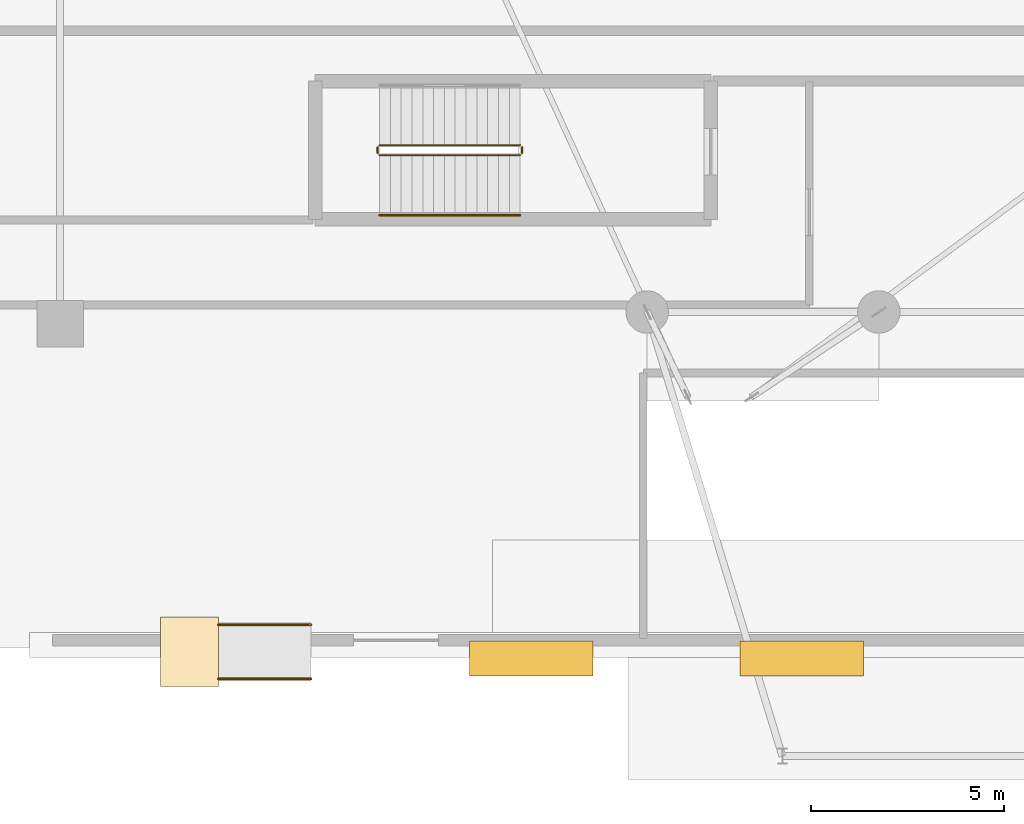
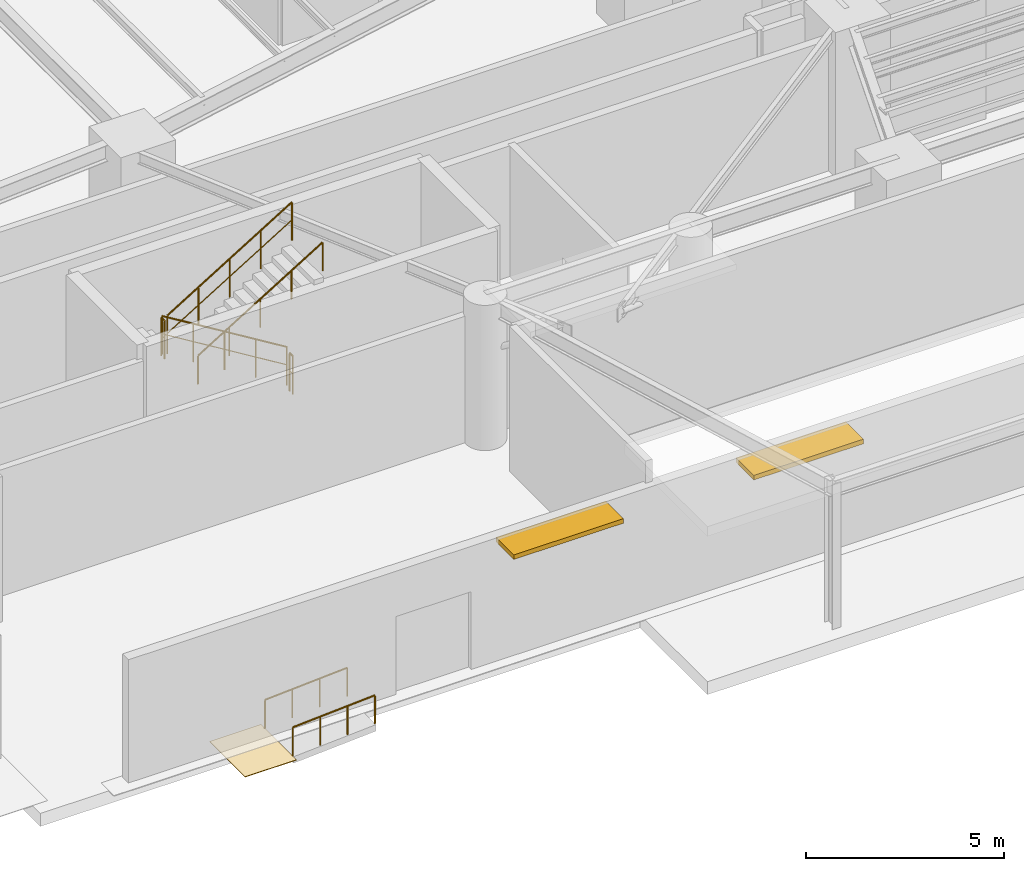
# One storey, part 22 of 31: 7 railings, 2 shading devices, 1 covering.
"""IFC4 building model written with IfcOpenShell, lengths in metres."""

import ifcopenshell
import ifcopenshell.guid

model = None  # the IFC model being written
_history = None  # IfcOwnerHistory: only IFC2X3 demands one
_inside = {}  # id of a spatial element -> (the spatial element, [elements in it])
_under = {}  # id of a project, library or spatial element -> (it, [spatial elements below it])
_declared = {}  # id of a project -> (the project, [libraries it declares])
_typed = {}  # id of a type object -> (the type object, [elements of that type])
_made_of = {}  # id of a material, layer set ... -> (it, [elements and type objects made of it])


def new_model(schema):
    """Start an empty IFC model of exactly this schema.

    Asked for "IFC4X3", IfcOpenShell would pick the latest addendum, in which some entities
    have other attributes; the version numbers below select the first issue.
    IFC2X3 requires an IfcOwnerHistory on every rooted entity: one is made here for all.
    """
    global model, _history
    if schema == "IFC4X3":
        model = ifcopenshell.file(schema_version=(4, 3, 0, 0))
    else:
        model = ifcopenshell.file(schema=schema)
    _inside.clear()
    _under.clear()
    _declared.clear()
    _typed.clear()
    _made_of.clear()
    _history = None
    if model.schema == "IFC2X3":
        org = make("IfcOrganization", Name="unknown")
        user = make(
            "IfcPersonAndOrganization",
            ThePerson=make("IfcPerson", FamilyName="unknown"),
            TheOrganization=org,
        )
        app = make(
            "IfcApplication",
            ApplicationDeveloper=org,
            Version="unknown",
            ApplicationFullName="unknown",
            ApplicationIdentifier="unknown",
        )
        _history = make(
            "IfcOwnerHistory",
            OwningUser=user,
            OwningApplication=app,
            ChangeAction="ADDED",
            CreationDate=0,
        )
    return model


def make(cls, **values):
    """One entity of the class cls with the attributes given. An attribute that is None is left unset."""
    return model.create_entity(
        cls, **{name: value for name, value in values.items() if value is not None}
    )


def rooted(cls, **values):
    """An entity with a GlobalId (a new one), such as an element, a storey or a relation."""
    return make(cls, GlobalId=ifcopenshell.guid.new(), OwnerHistory=_history, **values)


def si_unit(unit_type, name, prefix=None):
    """IfcSIUnit, for example si_unit("LENGTHUNIT", "METRE", prefix="MILLI")."""
    return make("IfcSIUnit", UnitType=unit_type, Prefix=prefix, Name=name)


def assignment(units):
    """IfcUnitAssignment: the units of a project."""
    return None if units is None else make("IfcUnitAssignment", Units=units)


def point(xyz):
    """IfcCartesianPoint."""
    return None if xyz is None else make("IfcCartesianPoint", Coordinates=xyz)


def direction(xyz):
    """IfcDirection."""
    return None if xyz is None else make("IfcDirection", DirectionRatios=xyz)


def frame(location, z_axis=None, x_axis=None):
    """IfcAxis2Placement3D, a coordinate frame: its origin and axes. An axis left out is left unset."""
    return make(
        "IfcAxis2Placement3D",
        Location=point(location),
        Axis=direction(z_axis),
        RefDirection=direction(x_axis),
    )


def frame_2d(location, x_axis=None):
    """IfcAxis2Placement2D, a coordinate frame in the plane: its origin and x axis."""
    return make(
        "IfcAxis2Placement2D", Location=point(location), RefDirection=direction(x_axis)
    )


def origin():
    """The frame at (0, 0, 0) with its axes left unset."""
    return frame((0.0, 0.0, 0.0))


def origin_2d():
    """The frame at (0, 0) in the plane with its x axis left unset."""
    return frame_2d((0.0, 0.0))


def place(relative_to, where):
    """IfcLocalPlacement: puts the frame where relative to a parent placement (None: the world)."""
    return make(
        "IfcLocalPlacement", PlacementRelTo=relative_to, RelativePlacement=where
    )


def context(
    kind, dimensions, precision=None, world=None, true_north=None, identifier=None
):
    """IfcGeometricRepresentationContext, for example the 3D "Model" context."""
    return make(
        "IfcGeometricRepresentationContext",
        ContextIdentifier=identifier,
        ContextType=kind,
        CoordinateSpaceDimension=dimensions,
        Precision=precision,
        WorldCoordinateSystem=world,
        TrueNorth=true_north,
    )


def subcontext(parent, identifier, kind, view, scale=None):
    """IfcGeometricRepresentationSubContext, for example "Body" below "Model"."""
    return make(
        "IfcGeometricRepresentationSubContext",
        ContextIdentifier=identifier,
        ContextType=kind,
        ParentContext=parent,
        TargetScale=scale,
        TargetView=view,
    )


def project(units=None, contexts=None):
    """IfcProject with its units and contexts."""
    return rooted(
        "IfcProject",
        Name="project",
        RepresentationContexts=contexts,
        UnitsInContext=assignment(units),
    )


def spatial(cls, under=None, at=None, **own):
    """A site, building, storey or space (cls), placed at a placement, below another one or the project."""
    s = rooted(cls, ObjectPlacement=at, **own)
    if under is not None:
        _under.setdefault(under.id(), (under, []))[1].append(s)
    return s


def polyline(points):
    """IfcPolyline through the points."""
    return make("IfcPolyline", Points=[point(p) for p in points])


def profile(cls, at=None, kind="AREA", **sizes):
    """A parametric profile (cls). Its sizes go by their IFC names, for example OverallWidth=200.0."""
    return make(cls, ProfileType=kind, Position=at, **sizes)


def rectangle(**sizes):
    """IfcRectangleProfileDef."""
    return profile("IfcRectangleProfileDef", **sizes)


def circle(**sizes):
    """IfcCircleProfileDef."""
    return profile("IfcCircleProfileDef", **sizes)


def outline(outer, holes=None, kind="AREA"):
    """IfcArbitraryClosedProfileDef: a profile drawn as a closed curve; with holes, ...WithVoids."""
    if holes is None:
        return make("IfcArbitraryClosedProfileDef", ProfileType=kind, OuterCurve=outer)
    return make(
        "IfcArbitraryProfileDefWithVoids",
        ProfileType=kind,
        OuterCurve=outer,
        InnerCurves=holes,
    )


def extrude(swept, where, along, depth):
    """IfcExtrudedAreaSolid: the profile swept, set in the frame where, extruded along a direction by depth."""
    return make(
        "IfcExtrudedAreaSolid",
        SweptArea=swept,
        Position=where,
        ExtrudedDirection=direction(along),
        Depth=depth,
    )


def shape(context_of_items, identifier, shape_type, items):
    """IfcShapeRepresentation: the items that make up one representation, for example the "Body"."""
    return make(
        "IfcShapeRepresentation",
        ContextOfItems=context_of_items,
        RepresentationIdentifier=identifier,
        RepresentationType=shape_type,
        Items=items,
    )


def source(mapping_origin, context_of_items, identifier, shape_type, items):
    """IfcRepresentationMap: a shape defined once, which mapped items show again and again."""
    return make(
        "IfcRepresentationMap",
        MappingOrigin=mapping_origin,
        MappedRepresentation=shape(context_of_items, identifier, shape_type, items),
    )


def transform(
    local_origin,
    x_axis=None,
    y_axis=None,
    z_axis=None,
    scale=None,
    scale2=None,
    scale3=None,
    uniform=True,
):
    """IfcCartesianTransformationOperator3D, or its non-uniform kind. x_axis, y_axis, z_axis: its Axis1, 2, 3."""
    if uniform:
        return make(
            "IfcCartesianTransformationOperator3D",
            Axis1=direction(x_axis),
            Axis2=direction(y_axis),
            LocalOrigin=point(local_origin),
            Scale=scale,
            Axis3=direction(z_axis),
        )
    return make(
        "IfcCartesianTransformationOperator3DnonUniform",
        Axis1=direction(x_axis),
        Axis2=direction(y_axis),
        LocalOrigin=point(local_origin),
        Scale=scale,
        Axis3=direction(z_axis),
        Scale2=scale2,
        Scale3=scale3,
    )


def mapped(mapping_source, mapping_target):
    """IfcMappedItem: shows the shape of a source again, moved by a transform."""
    return make(
        "IfcMappedItem", MappingSource=mapping_source, MappingTarget=mapping_target
    )


def material(Name=None, Category=None):
    """IfcMaterial."""
    return make("IfcMaterial", Name=Name, Category=Category)


def layer(
    of_material, thickness, ventilated=None, Name=None, Category=None, Priority=None
):
    """IfcMaterialLayer: one layer of a wall or slab, of a material (None: an air gap)."""
    return make(
        "IfcMaterialLayer",
        Material=of_material,
        LayerThickness=thickness,
        IsVentilated=ventilated,
        Name=Name,
        Category=Category,
        Priority=Priority,
    )


def layer_set(layers, Name=None):
    """IfcMaterialLayerSet."""
    return make("IfcMaterialLayerSet", MaterialLayers=layers, LayerSetName=Name)


def made_of(thing, what):
    """Note that an element or type object is made of a material, layer set ...; save() writes the relation."""
    if what is not None:
        _made_of.setdefault(what.id(), (what, []))[1].append(thing)
    return thing


def type_object(cls, material=None, **own):
    """A type object (cls), such as IfcWallType, which elements share."""
    return made_of(rooted(cls, **own), material)


def element(
    cls,
    number,
    at=None,
    inside=None,
    cuts=None,
    type_object=None,
    material=None,
    context=None,
    identifier="Body",
    shape_type=None,
    held_by="IfcProductDefinitionShape",
    body=None,
    shapes=None,
    **own,
):
    """One element of the class cls, such as IfcWall. Its Tag is "e" and its number.

    at: its placement. inside: the storey or other place that contains it. cuts: it is an
    opening in that element (IfcRelVoidsElement). A single representation is given by context,
    identifier, shape_type and body (its items); several are given by shapes. held_by: the class
    of the entity that holds the representations. save() writes the other relations.
    """
    e = rooted(cls, Tag="e%d" % number, ObjectPlacement=at, **own)
    if body is not None:
        shapes = [shape(context, identifier, shape_type, body)]
    if shapes is not None:
        e.Representation = make(held_by, Representations=shapes)
    if inside is not None:
        _inside.setdefault(inside.id(), (inside, []))[1].append(e)
    if cuts is not None:
        rooted(
            "IfcRelVoidsElement", RelatingBuildingElement=cuts, RelatedOpeningElement=e
        )
    if type_object is not None:
        _typed.setdefault(type_object.id(), (type_object, []))[1].append(e)
    return made_of(e, material)


def aggregate(whole, parts):
    """IfcRelAggregates: a whole, such as a stair, and the parts it consists of."""
    return rooted("IfcRelAggregates", RelatingObject=whole, RelatedObjects=parts)


def save(model, path):
    """Write the relations noted so far, then the file.

    IfcRelAggregates (storeys below a building ...), IfcRelContainedInSpatialStructure (elements
    in a storey), IfcRelDefinesByType, IfcRelAssociatesMaterial and IfcRelDeclares: one each for
    every whole, place, type object, material and project.
    """
    for whole, parts in _under.values():
        aggregate(whole, parts)
    for where, things in _inside.values():
        rooted(
            "IfcRelContainedInSpatialStructure",
            RelatedElements=things,
            RelatingStructure=where,
        )
    for kind, things in _typed.values():
        rooted("IfcRelDefinesByType", RelatedObjects=things, RelatingType=kind)
    for what, things in _made_of.values():
        rooted("IfcRelAssociatesMaterial", RelatedObjects=things, RelatingMaterial=what)
    for by, libraries in _declared.values():
        rooted("IfcRelDeclares", RelatingContext=by, RelatedDefinitions=libraries)
    model.write(path)


model = new_model("IFC4")

# Units and contexts
model_context = context("Model", 3, precision=1e-05, world=origin(), true_north=direction((0.0, 1.0)))
body_context = subcontext(model_context, "Body", "Model", "MODEL_VIEW")
ifc_project = project(units=[si_unit("LENGTHUNIT", "METRE"), si_unit("AREAUNIT", "SQUARE_METRE"), si_unit("VOLUMEUNIT", "CUBIC_METRE"), si_unit("PLANEANGLEUNIT", "RADIAN"), si_unit("MASSUNIT", "GRAM", prefix="KILO")], contexts=[model_context])

# Site, building, storey
site_placement = place(None, origin())
site = spatial("IfcSite", under=ifc_project, at=site_placement, CompositionType="ELEMENT")
building_placement = place(site_placement, origin())
building = spatial("IfcBuilding", under=site, at=building_placement, Name="Sahyath Konkavel Grand Hotel", CompositionType="ELEMENT")
storey_placement = place(building_placement, origin())
storey = spatial("IfcBuildingStorey", under=building, at=storey_placement, Name="L00", CompositionType="ELEMENT", Elevation=0.0)

# Covering
ifc_material_1 = material(Name="Honed Deccan Basalt and Warm Sandstone Flooring", Category="masonry")
ifc_layer_1 = layer(ifc_material_1, 0.02001953125)
ifc_layer_set_1 = layer_set([ifc_layer_1], Name="Honed Deccan Basalt and Warm Sandstone Flooring")
covering_type = type_object("IfcCoveringType", Name="COV-STONE-FLR", PredefinedType="FLOORING", material=ifc_layer_set_1)
covering_placement = place(storey_placement, frame((0.0, 0.0, -0.169921875)))
element("IfcCovering", 1, at=covering_placement, inside=storey, type_object=covering_type, Name="L00 Street Walkway Landing PR-3", PredefinedType="FLOORING", context=body_context, shape_type="SweptSolid", body=[
    extrude(outline(polyline([(-30.60009765625, -26.199951171875), (-29.10009765625, -26.199951171875), (-29.10009765625, -24.39990234375), (-30.60009765625, -24.39990234375), (-30.60009765625, -26.199951171875)])), origin(), (0.0, 0.0, 1.0), 0.02001953125),
])

# Railings
ifc_material_2 = material(Name="Steel E350", Category="steel")
railing_type_1 = type_object("IfcRailingType", Name="RLG-STAIR-GRD", PredefinedType="GUARDRAIL", material=ifc_material_2)
railing_1_placement = place(storey_placement, frame((-21.2900390625, -12.179931640625, 0.17138671875)))
element("IfcRailing", 2, at=railing_1_placement, inside=storey, type_object=railing_type_1, Name="L00 ST-P3 stair guard 1", PredefinedType="GUARDRAIL", context=body_context, shape_type="SweptSolid", body=[
    extrude(circle(Radius=0.02392578125, at=origin_2d()), frame((-0.001708984375, 0.0, 1.177001953125), z_axis=(-0.852850264322, 0.0, 0.5221555579), x_axis=(0.0, -1.0, 0.0)), (0.0, 0.0, 1.0), 4.263916015625),
    extrude(circle(Radius=0.01416015625, at=origin_2d()), frame((-0.001708984375, 0.0, 0.625), z_axis=(-0.852850264322, 0.0, 0.5221555579), x_axis=(0.0, -1.0, 0.0)), (0.0, 0.0, 1.0), 4.263916015625),
    extrude(circle(Radius=0.02099609375, at=origin_2d()), origin(), (0.0, 0.0, 1.0), 1.15185546875),
    extrude(circle(Radius=0.02099609375, at=origin_2d()), frame((-0.909912109375, 0.0, 0.55712890625)), (0.0, 0.0, 1.0), 1.15185546875),
    extrude(circle(Radius=0.02099609375, at=origin_2d()), frame((-1.81982421875, 0.0, 1.1142578125)), (0.0, 0.0, 1.0), 1.15185546875),
    extrude(circle(Radius=0.02099609375, at=origin_2d()), frame((-2.72998046875, 0.0, 1.67138671875)), (0.0, 0.0, 1.0), 1.15185546875),
    extrude(circle(Radius=0.02099609375, at=origin_2d()), frame((-3.639892578125, 0.0, 2.228515625)), (0.0, 0.0, 1.0), 1.15185546875),
])
railing_2_placement = place(storey_placement, frame((-24.97998046875, -12.22998046875, 2.39990234375)))
element("IfcRailing", 3, at=railing_2_placement, inside=storey, type_object=railing_type_1, Name="L00 ST-P3 stair guard 2", PredefinedType="GUARDRAIL", context=body_context, shape_type="SweptSolid", body=[
    extrude(circle(Radius=0.02392578125, at=origin_2d()), frame((0.0, -0.001953125, 1.17578125), z_axis=(0.0, -1.0, 0.0), x_axis=(1.0, 0.0, 0.0)), (0.0, 0.0, 1.0), 0.156005859375),
    extrude(circle(Radius=0.01416015625, at=origin_2d()), frame((0.0, -0.001953125, 0.6240234375), z_axis=(0.0, -1.0, 0.0), x_axis=(1.0, 0.0, 0.0)), (0.0, 0.0, 1.0), 0.156005859375),
    extrude(circle(Radius=0.02099609375, at=origin_2d()), origin(), (0.0, 0.0, 1.0), 1.15185546875),
    extrude(circle(Radius=0.02099609375, at=origin_2d()), frame((0.0, -0.159912109375, 0.0)), (0.0, 0.0, 1.0), 1.15185546875),
])
railing_3_placement = place(storey_placement, frame((-24.929931640625, -12.43994140625, 2.571533203125)))
element("IfcRailing", 4, at=railing_3_placement, inside=storey, type_object=railing_type_1, Name="L00 ST-P3 stair guard 3", PredefinedType="GUARDRAIL", context=body_context, shape_type="SweptSolid", body=[
    extrude(circle(Radius=0.02392578125, at=origin_2d()), frame((0.001708984375, 0.0, 1.177001953125), z_axis=(0.852850264322, 0.0, 0.5221555579), x_axis=(0.0, 1.0, 0.0)), (0.0, 0.0, 1.0), 4.263916015625),
    extrude(circle(Radius=0.01416015625, at=origin_2d()), frame((0.001708984375, 0.0, 0.625), z_axis=(0.852850264322, 0.0, 0.5221555579), x_axis=(0.0, 1.0, 0.0)), (0.0, 0.0, 1.0), 4.263916015625),
    extrude(circle(Radius=0.02099609375, at=origin_2d()), origin(), (0.0, 0.0, 1.0), 1.15185546875),
    extrude(circle(Radius=0.02099609375, at=origin_2d()), frame((0.909912109375, 0.0, 0.55712890625)), (0.0, 0.0, 1.0), 1.15185546875),
    extrude(circle(Radius=0.02099609375, at=origin_2d()), frame((1.81982421875, 0.0, 1.1142578125)), (0.0, 0.0, 1.0), 1.15185546875),
    extrude(circle(Radius=0.02099609375, at=origin_2d()), frame((2.72998046875, 0.0, 1.67138671875)), (0.0, 0.0, 1.0), 1.15185546875),
    extrude(circle(Radius=0.02099609375, at=origin_2d()), frame((3.639892578125, 0.0, 2.228515625)), (0.0, 0.0, 1.0), 1.15185546875),
])
railing_4_placement = place(storey_placement, frame((-21.239990234375, -12.22998046875, 0.0)))
element("IfcRailing", 5, at=railing_4_placement, inside=storey, type_object=railing_type_1, Name="L00 ST-P3 stair guard 4", PredefinedType="GUARDRAIL", context=body_context, shape_type="SweptSolid", body=[
    extrude(circle(Radius=0.02392578125, at=origin_2d()), frame((0.0, -0.001953125, 1.17578125), z_axis=(0.0, -1.0, 0.0), x_axis=(1.0, 0.0, 0.0)), (0.0, 0.0, 1.0), 0.156005859375),
    extrude(circle(Radius=0.01416015625, at=origin_2d()), frame((0.0, -0.001953125, 0.6240234375), z_axis=(0.0, -1.0, 0.0), x_axis=(1.0, 0.0, 0.0)), (0.0, 0.0, 1.0), 0.156005859375),
    extrude(circle(Radius=0.02099609375, at=origin_2d()), origin(), (0.0, 0.0, 1.0), 1.15185546875),
    extrude(circle(Radius=0.02099609375, at=origin_2d()), frame((0.0, -0.159912109375, 0.0)), (0.0, 0.0, 1.0), 1.15185546875),
])
ifc_material_3 = material(Name="Anodised Bronze Aluminium", Category="aluminium")
railing_type_2 = type_object("IfcRailingType", Name="RLG-STAIR-HND", PredefinedType="HANDRAIL", material=ifc_material_3)
railing_5_placement = place(storey_placement, frame((-24.929931640625, -13.989990234375, 2.571533203125)))
element("IfcRailing", 6, at=railing_5_placement, inside=storey, type_object=railing_type_2, Name="L00 ST-P3 stair handrail 2", PredefinedType="HANDRAIL", context=body_context, shape_type="SweptSolid", body=[
    extrude(circle(Radius=0.02392578125, at=origin_2d()), frame((0.001708984375, 0.0, 0.876953125), z_axis=(0.852850264322, 0.0, 0.5221555579), x_axis=(0.0, 1.0, 0.0)), (0.0, 0.0, 1.0), 4.263916015625),
    extrude(circle(Radius=0.02099609375, at=origin_2d()), origin(), (0.0, 0.0, 1.0), 0.851806640625),
    extrude(circle(Radius=0.02099609375, at=origin_2d()), frame((0.909912109375, 0.0, 0.55712890625)), (0.0, 0.0, 1.0), 0.851806640625),
    extrude(circle(Radius=0.02099609375, at=origin_2d()), frame((1.81982421875, 0.0, 1.1142578125)), (0.0, 0.0, 1.0), 0.851806640625),
    extrude(circle(Radius=0.02099609375, at=origin_2d()), frame((2.72998046875, 0.0, 1.67138671875)), (0.0, 0.0, 1.0), 0.851806640625),
    extrude(circle(Radius=0.02099609375, at=origin_2d()), frame((3.639892578125, 0.0, 2.228515625)), (0.0, 0.0, 1.0), 0.851806640625),
])
for number, where, name in (
    (7, (-29.10009765625, -24.60009765625, -0.14990234375), "Accessible Ramp Handrail PR-3-L"),
    (8, (-29.10009765625, -26.0, -0.14990234375), "Accessible Ramp Handrail PR-3-R"),
):
    element("IfcRailing", number, at=place(storey_placement, frame(where)), inside=storey, type_object=railing_type_2, Name=name, PredefinedType="HANDRAIL", context=body_context, shape_type="SweptSolid", body=[
        extrude(circle(Radius=0.02392578125, at=origin_2d()), frame((0.001953125, 0.0, 0.8759765625), z_axis=(0.998055342672, 0.0, 0.062334043373), x_axis=(0.0, 1.0, 0.0)), (0.0, 0.0, 1.0), 2.40087890625),
        extrude(circle(Radius=0.02099609375, at=origin_2d()), origin(), (0.0, 0.0, 1.0), 0.851806640625),
        extrude(circle(Radius=0.02099609375, at=origin_2d()), frame((0.800048828125, 0.0, 0.050048828125)), (0.0, 0.0, 1.0), 0.851806640625),
        extrude(circle(Radius=0.02099609375, at=origin_2d()), frame((1.60009765625, 0.0, 0.099853515625)), (0.0, 0.0, 1.0), 0.851806640625),
        extrude(circle(Radius=0.02099609375, at=origin_2d()), frame((2.400146484375, 0.0, 0.14990234375)), (0.0, 0.0, 1.0), 0.851806640625),
    ])

# Shading devices
ifc_material_4 = material(Name="Warm Buff Sandstone Cladding", Category="masonry")
ifc_layer_2 = layer(ifc_material_4, 0.139892578125)
ifc_layer_set_2 = layer_set([ifc_layer_2], Name="Warm Buff Sandstone Cladding")
shading_device_type = type_object("IfcShadingDeviceType", Name="SHD-STONE-BROW", PredefinedType="AWNING", material=ifc_layer_set_2)
shared_shape = source(origin(), body_context, "Body", "SweptSolid", [
    extrude(rectangle(XDim=3.199951171875, YDim=0.89990234375, at=origin_2d()), origin(), (0.0, 0.0, 1.0), 0.139892578125),
])
for number, where, z_axis, x_axis, name in (
    (9, (-21.0, -25.469970703125, 3.580078125), (0.0, 0.0, 1.0), (1.0, 0.0, 0.0), "L00 Sandstone Solar Overhang 1-S"),
    (10, (-14.0, -25.469970703125, 3.580078125), (0.0, 0.0, 1.0), (1.0, 0.0, 0.0), "L00 Sandstone Solar Overhang 2-S"),
):
    element("IfcShadingDevice", number, at=place(storey_placement, frame(where, z_axis=z_axis, x_axis=x_axis)), inside=storey, type_object=shading_device_type, Name=name, PredefinedType="AWNING", context=body_context, shape_type="MappedRepresentation", body=[
        mapped(shared_shape, transform((0.0, 0.0, 0.0), scale=1.0)),
    ])

save(model, "model.ifc")
